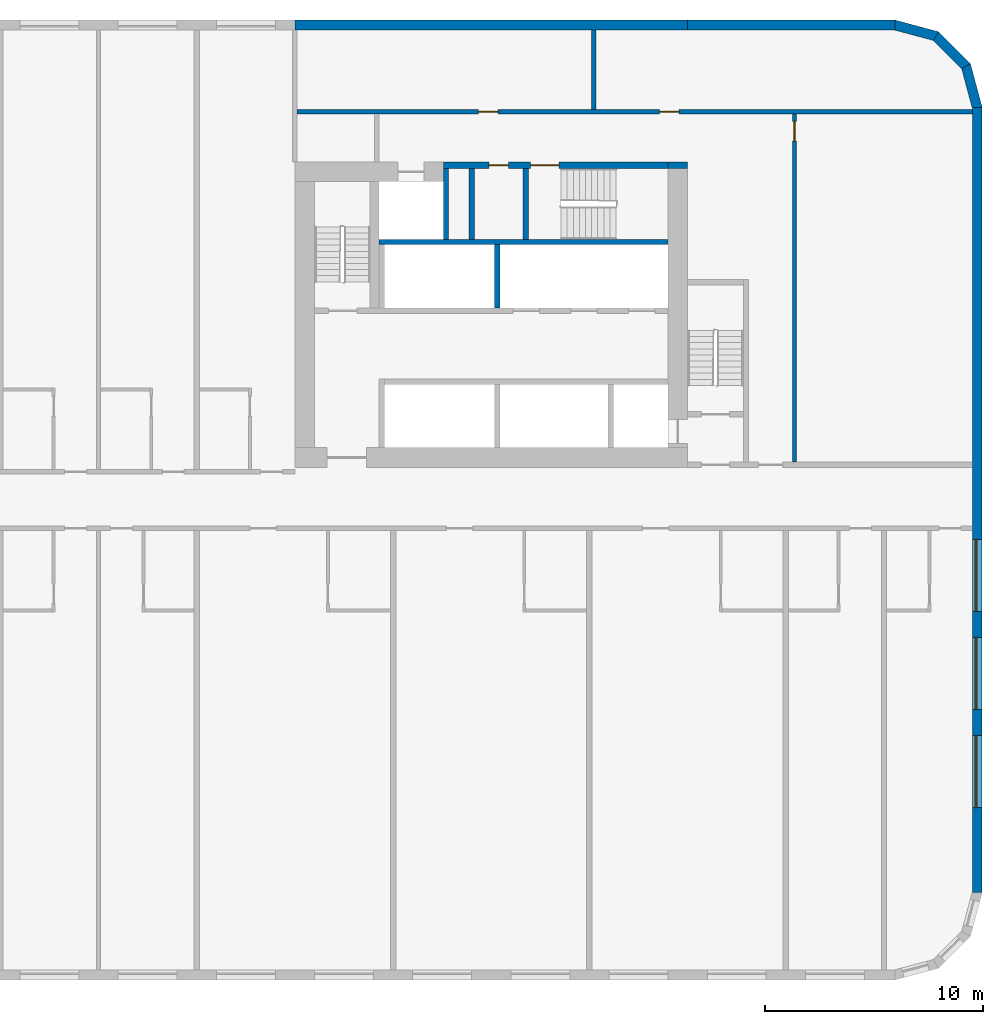
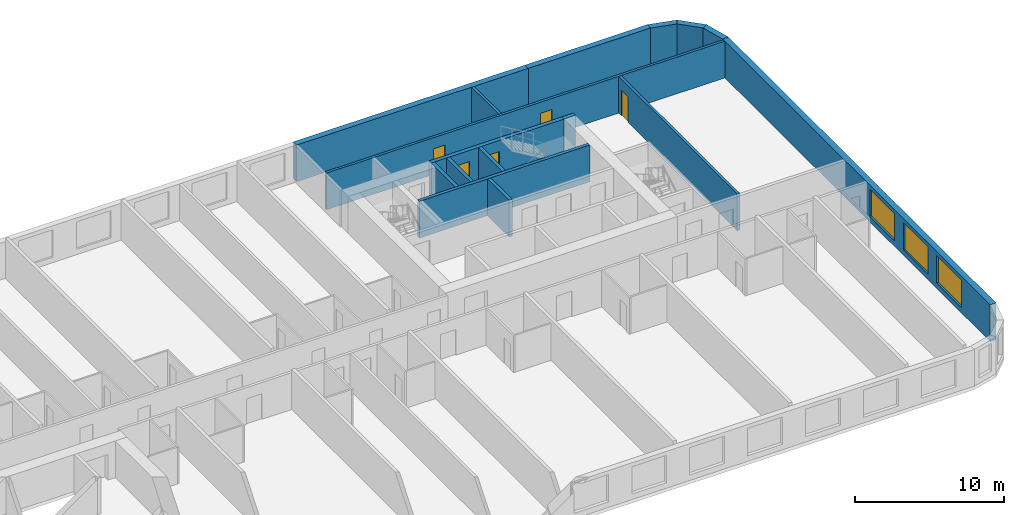
# One storey, part 8 of 12: 16 walls, 5 doors, 3 windows, 8 openings.
"""IFC4 building model written with IfcOpenShell, lengths in metres."""

from ifc_helpers import new_model, si_unit, direction, frame, frame_2d, origin, place, context, subcontext, project, spatial, polyline, rectangle, outline, extrude, material, layer, layer_set, type_object, element, fill, save


model = new_model("IFC4")

# Units and contexts
model_context = context("Model", 3, precision=1e-05, world=origin(), true_north=direction((0.0, 1.0)))
body_context = subcontext(model_context, "Body", "Model", "MODEL_VIEW")
ifc_project = project(units=[si_unit("LENGTHUNIT", "METRE"), si_unit("AREAUNIT", "SQUARE_METRE"), si_unit("VOLUMEUNIT", "CUBIC_METRE"), si_unit("PLANEANGLEUNIT", "RADIAN"), si_unit("MASSUNIT", "GRAM", prefix="KILO")], contexts=[model_context])

# Site, building, storey
site_placement = place(None, origin())
site = spatial("IfcSite", under=ifc_project, at=site_placement, CompositionType="ELEMENT")
building_placement = place(site_placement, origin())
building = spatial("IfcBuilding", under=site, at=building_placement, Name="Kajstack Hotel Tower", CompositionType="ELEMENT")
storey_placement = place(building_placement, frame((0.0, 0.0, 63.300048828125)))
storey = spatial("IfcBuildingStorey", under=building, at=storey_placement, Name="L10", CompositionType="ELEMENT", Elevation=63.300048828125)

# Walls
ifc_material_1 = material(Name="Concrete C60/75", Category="concrete")
ifc_layer_1 = layer(ifc_material_1, 0.89990234375)
ifc_layer_set_1 = layer_set([ifc_layer_1], Name="Core wall 900")
wall_type_1 = type_object("IfcWallType", Name="Core wall 900", PredefinedType="SHEAR", material=ifc_layer_set_1)
wall_1_placement = place(storey_placement, frame((30.60009765625, 15.35009765625, 0.0), z_axis=(0.0, 0.0, 1.0), x_axis=(1.0, 0.0, 0.0)))
element("IfcWall", 1, at=wall_1_placement, inside=storey, type_object=wall_type_1, Name="Core wall E RSW", PredefinedType="SHEAR", context=body_context, shape_type="SweptSolid", body=[
    extrude(rectangle(XDim=0.89990234375, YDim=0.300048828125, at=frame_2d((0.449951171875, 0.0))), origin(), (0.0, 0.0, 1.0), 3.02001953125),
])
ifc_material_2 = material(Name="Concrete C40/50", Category="concrete")
ifc_layer_2 = layer(ifc_material_2, 0.449951171875)
ifc_layer_set_2 = layer_set([ifc_layer_2], Name="EW-CORE")
wall_type_2 = type_object("IfcWallType", Name="EW-CORE", PredefinedType="SOLIDWALL", material=ifc_layer_set_2)
wall_2_placement = place(storey_placement, frame((31.5, 21.77490234375, 0.0), z_axis=(0.0, 0.0, 1.0), x_axis=(-1.0, 0.0, 0.0)))
element("IfcWall", 2, at=wall_2_placement, inside=storey, type_object=wall_type_2, Name="E-wall-L10-11-01", PredefinedType="SOLIDWALL", context=body_context, shape_type="SweptSolid", body=[
    extrude(rectangle(XDim=18.0, YDim=0.449951171875, at=frame_2d((9.0, 0.0))), origin(), (0.0, 0.0, 1.0), 3.02001953125),
])

# Wall, openings, windows
ifc_material_3 = material(Name="Terracotta-faced brick masonry", Category="masonry")
ifc_layer_3 = layer(ifc_material_3, 0.449951171875)
ifc_layer_set_3 = layer_set([ifc_layer_3], Name="EW-TERRA")
wall_type_3 = type_object("IfcWallType", Name="EW-TERRA", PredefinedType="SOLIDWALL", material=ifc_layer_set_3)
wall_3_placement = place(storey_placement, frame((44.77490234375, -18.0, 0.0), z_axis=(0.0, 0.0, 1.0), x_axis=(0.0, 1.0, 0.0)))
wall_3 = element("IfcWall", 3, at=wall_3_placement, inside=storey, type_object=wall_type_3, Name="E-wall-L10-07-00", PredefinedType="SOLIDWALL", context=body_context, shape_type="SweptSolid", body=[
    extrude(rectangle(XDim=36.0, YDim=0.449951171875, at=frame_2d((18.0, 0.0))), origin(), (0.0, 0.0, 1.0), 3.02001953125),
])
opening_1_placement = place(wall_3_placement, frame((3.89990234375, 0.0, 0.449951171875)))
opening_1 = element("IfcOpeningElement", 4, at=opening_1_placement, cuts=wall_3, Name="Opening W2", PredefinedType="OPENING", context=body_context, shape_type="SweptSolid", body=[
    extrude(rectangle(XDim=3.300048828125, YDim=2.25, at=frame_2d((1.64990234375, 1.125))), frame((0.0, 0.23486328125, 0.0), z_axis=(0.0, -1.0, 0.0), x_axis=(1.0, 0.0, 0.0)), (0.0, 0.0, 1.0), 0.469970703125),
])
opening_2_placement = place(wall_3_placement, frame((8.39990234375, 0.0, 0.449951171875)))
opening_2 = element("IfcOpeningElement", 5, at=opening_2_placement, cuts=wall_3, Name="Opening W2", PredefinedType="OPENING", context=body_context, shape_type="SweptSolid", body=[
    extrude(rectangle(XDim=3.300048828125, YDim=2.25, at=frame_2d((1.64990234375, 1.125))), frame((0.0, 0.23486328125, 0.0), z_axis=(0.0, -1.0, 0.0), x_axis=(1.0, 0.0, 0.0)), (0.0, 0.0, 1.0), 0.469970703125),
])
opening_3_placement = place(wall_3_placement, frame((12.89990234375, 0.0, 0.449951171875)))
opening_3 = element("IfcOpeningElement", 6, at=opening_3_placement, cuts=wall_3, Name="Opening W2", PredefinedType="OPENING", context=body_context, shape_type="SweptSolid", body=[
    extrude(rectangle(XDim=3.300048828125, YDim=2.25, at=frame_2d((1.64990234375, 1.125))), frame((0.0, 0.23486328125, 0.0), z_axis=(0.0, -1.0, 0.0), x_axis=(1.0, 0.0, 0.0)), (0.0, 0.0, 1.0), 0.469970703125),
])
ifc_material_4 = material(Name="Timber-aluminium window, triple glazed", Category="wood")
window_type = type_object("IfcWindowType", Name="WG2", PartitioningType="SINGLE_PANEL", PredefinedType="WINDOW", material=ifc_material_4)
window_1_placement = place(opening_1_placement, origin())
window_1 = element("IfcWindow", 7, at=window_1_placement, inside=storey, type_object=window_type, Name="Window W2 L10-07", OverallHeight=2.25, OverallWidth=3.300048828125, PartitioningType="SINGLE_PANEL", PredefinedType="WINDOW", context=body_context, shape_type="SweptSolid", body=[
    extrude(rectangle(XDim=3.300048828125, YDim=2.25, at=frame_2d((1.64990234375, 1.125))), frame((0.0, 0.090087890625, 0.0), z_axis=(0.0, -1.0, 0.0), x_axis=(1.0, 0.0, 0.0)), (0.0, 0.0, 1.0), 0.06005859375),
])
fill(opening_1, window_1)
window_2_placement = place(opening_2_placement, origin())
window_2 = element("IfcWindow", 8, at=window_2_placement, inside=storey, type_object=window_type, Name="Window W2 L10-07", OverallHeight=2.25, OverallWidth=3.300048828125, PartitioningType="SINGLE_PANEL", PredefinedType="WINDOW", context=body_context, shape_type="SweptSolid", body=[
    extrude(rectangle(XDim=3.300048828125, YDim=2.25, at=frame_2d((1.64990234375, 1.125))), frame((0.0, 0.090087890625, 0.0), z_axis=(0.0, -1.0, 0.0), x_axis=(1.0, 0.0, 0.0)), (0.0, 0.0, 1.0), 0.06005859375),
])
fill(opening_2, window_2)
window_3_placement = place(opening_3_placement, origin())
window_3 = element("IfcWindow", 9, at=window_3_placement, inside=storey, type_object=window_type, Name="Window W2 L10-07", OverallHeight=2.25, OverallWidth=3.300048828125, PartitioningType="SINGLE_PANEL", PredefinedType="WINDOW", context=body_context, shape_type="SweptSolid", body=[
    extrude(rectangle(XDim=3.300048828125, YDim=2.25, at=frame_2d((1.64990234375, 1.125))), frame((0.0, 0.090087890625, 0.0), z_axis=(0.0, -1.0, 0.0), x_axis=(1.0, 0.0, 0.0)), (0.0, 0.0, 1.0), 0.06005859375),
])
fill(opening_3, window_3)

# Walls
wall_4_placement = place(storey_placement, frame((44.78271484375, 17.941650390625, 0.0), z_axis=(0.0, 0.0, 1.0), x_axis=(-0.25881466832, 0.965926999034, 0.0)))
element("IfcWall", 10, at=wall_4_placement, inside=storey, type_object=wall_type_3, Name="E-wall-L10-08-00", PredefinedType="SOLIDWALL", context=body_context, shape_type="SweptSolid", body=[
    extrude(outline(polyline([(0.000244140625, -0.22509765625), (2.070556640625, -0.224853515625), (1.9501953125, 0.22509765625), (0.12060546875, 0.22509765625), (0.000244140625, -0.22509765625)])), origin(), (0.0, 0.0, 1.0), 3.02001953125),
])
wall_5_placement = place(storey_placement, frame((44.304931640625, 19.8408203125, 0.0), z_axis=(0.0, 0.0, 1.0), x_axis=(-0.707106781187, 0.707106781187, 0.0)))
element("IfcWall", 11, at=wall_5_placement, inside=storey, type_object=wall_type_3, Name="E-wall-L10-09-00", PredefinedType="SOLIDWALL", context=body_context, shape_type="SweptSolid", body=[
    extrude(outline(polyline([(0.0, -0.22509765625), (2.070556640625, -0.22509765625), (1.949951171875, 0.224853515625), (0.12060546875, 0.224853515625), (0.0, -0.22509765625)])), origin(), (0.0, 0.0, 1.0), 3.02001953125),
])
wall_6_placement = place(storey_placement, frame((42.941650390625, 21.246826171875, 0.0), z_axis=(0.0, 0.0, 1.0), x_axis=(-0.965926999034, 0.25881466832, 0.0)))
element("IfcWall", 12, at=wall_6_placement, inside=storey, type_object=wall_type_3, Name="E-wall-L10-10-00", PredefinedType="SOLIDWALL", context=body_context, shape_type="SweptSolid", body=[
    extrude(outline(polyline([(-0.000244140625, -0.224853515625), (2.0703125, -0.22509765625), (1.949951171875, 0.22509765625), (0.120361328125, 0.22509765625), (-0.000244140625, -0.224853515625)])), origin(), (0.0, 0.0, 1.0), 3.02001953125),
])
wall_7_placement = place(storey_placement, frame((41.0, 21.77490234375, 0.0), z_axis=(0.0, 0.0, 1.0), x_axis=(-1.0, 0.0, 0.0)))
element("IfcWall", 13, at=wall_7_placement, inside=storey, type_object=wall_type_3, Name="E-wall-L10-11-00", PredefinedType="SOLIDWALL", context=body_context, shape_type="SweptSolid", body=[
    extrude(rectangle(XDim=9.5, YDim=0.449951171875, at=frame_2d((4.75, 0.0))), origin(), (0.0, 0.0, 1.0), 3.02001953125),
])
ifc_material_5 = material(Name="Concrete C50/60", Category="concrete")
ifc_layer_4 = layer(ifc_material_5, 0.300048828125)
ifc_layer_set_4 = layer_set([ifc_layer_4], Name="Hoistway divider wall 300")
wall_type_4 = type_object("IfcWallType", Name="Hoistway divider wall 300", PredefinedType="SHEAR", material=ifc_layer_set_4)
wall_8_placement = place(storey_placement, frame((22.77490234375, 8.800048828125, 0.0), z_axis=(0.0, 0.0, 1.0), x_axis=(0.0, 1.0, 0.0)))
element("IfcWall", 14, at=wall_8_placement, inside=storey, type_object=wall_type_4, Name="Core wall E BP2", PredefinedType="SHEAR", context=body_context, shape_type="SweptSolid", body=[
    extrude(rectangle(XDim=2.89990234375, YDim=0.25, at=frame_2d((1.449951171875, 0.0))), origin(), (0.0, 0.0, 1.0), 3.02001953125),
])
ifc_material_6 = material(Name="Concrete block masonry", Category="masonry")
ifc_layer_5 = layer(ifc_material_6, 0.25)
ifc_layer_set_5 = layer_set([ifc_layer_5], Name="Riser partition 250")
wall_type_5 = type_object("IfcWallType", Name="Riser partition 250", PredefinedType="PARTITIONING", material=ifc_layer_set_5)
wall_9_placement = place(storey_placement, frame((21.60009765625, 11.949951171875, 0.0), z_axis=(0.0, 0.0, 1.0), x_axis=(0.0, 1.0, 0.0)))
element("IfcWall", 15, at=wall_9_placement, inside=storey, type_object=wall_type_5, Name="Partition E SZ0", PredefinedType="PARTITIONING", context=body_context, shape_type="SweptSolid", body=[
    extrude(rectangle(XDim=3.25, YDim=0.25, at=frame_2d((1.625, 0.0))), origin(), (0.0, 0.0, 1.0), 3.02001953125),
])

# Wall, opening, door
ifc_material_7 = material(Name="Gypsum board on steel studs, mineral wool", Category="steel")
ifc_layer_6 = layer(ifc_material_7, 0.199951171875)
ifc_layer_set_6 = layer_set([ifc_layer_6], Name="Service partition 200")
wall_type_6 = type_object("IfcWallType", Name="Service partition 200", PredefinedType="PARTITIONING", material=ifc_layer_set_6)
wall_10_placement = place(storey_placement, frame((36.39990234375, 1.75, 0.0), z_axis=(0.0, 0.0, 1.0), x_axis=(0.0, 1.0, 0.0)))
wall_10 = element("IfcWall", 16, at=wall_10_placement, inside=storey, type_object=wall_type_6, Name="Partition E WRE", PredefinedType="PARTITIONING", context=body_context, shape_type="SweptSolid", body=[
    extrude(rectangle(XDim=15.949951171875, YDim=0.199951171875, at=frame_2d((7.97509765625, 0.0))), origin(), (0.0, 0.0, 1.0), 3.02001953125),
])
opening_4_placement = place(wall_10_placement, frame((14.699951171875, 0.0, 0.0)))
opening_4 = element("IfcOpeningElement", 17, at=opening_4_placement, cuts=wall_10, Name="Opening 10E15", PredefinedType="OPENING", context=body_context, shape_type="SweptSolid", body=[
    extrude(rectangle(XDim=0.89990234375, YDim=2.10009765625, at=frame_2d((0.449951171875, 1.050048828125))), frame((0.0, 0.10986328125, 0.0), z_axis=(0.0, -1.0, 0.0), x_axis=(1.0, 0.0, 0.0)), (0.0, 0.0, 1.0), 0.219970703125),
])
ifc_material_8 = material(Name="Timber leaf, fire-rated", Category="wood")
door_type_1 = type_object("IfcDoorType", Name="Service door 900", OperationType="SINGLE_SWING_LEFT", PredefinedType="DOOR", material=ifc_material_8)
door_1_placement = place(opening_4_placement, origin())
door_1 = element("IfcDoor", 18, at=door_1_placement, inside=storey, type_object=door_type_1, Name="Door 10E15", OperationType="SINGLE_SWING_RIGHT", OverallHeight=2.10009765625, OverallWidth=0.89990234375, PredefinedType="DOOR", context=body_context, shape_type="SweptSolid", body=[
    extrude(rectangle(XDim=0.89990234375, YDim=2.10009765625, at=frame_2d((0.449951171875, 1.050048828125))), frame((0.0, 0.02490234375, 0.0), z_axis=(0.0, -1.0, 0.0), x_axis=(1.0, 0.0, 0.0)), (0.0, 0.0, 1.0), 0.050048828125),
])
fill(opening_4, door_1)

# Wall, openings, doors
wall_11_placement = place(storey_placement, frame((13.60009765625, 17.800048828125, 0.0), z_axis=(0.0, 0.0, 1.0), x_axis=(1.0, 0.0, 0.0)))
wall_11 = element("IfcWall", 19, at=wall_11_placement, inside=storey, type_object=wall_type_6, Name="Partition E SLN", PredefinedType="PARTITIONING", context=body_context, shape_type="SweptSolid", body=[
    extrude(rectangle(XDim=30.949951171875, YDim=0.199951171875, at=frame_2d((15.47509765625, 0.0))), origin(), (0.0, 0.0, 1.0), 3.02001953125),
])
opening_5_placement = place(wall_11_placement, frame((16.612548828125, 0.0, 0.0)))
opening_5 = element("IfcOpeningElement", 20, at=opening_5_placement, cuts=wall_11, Name="Opening 10E13", PredefinedType="OPENING", context=body_context, shape_type="SweptSolid", body=[
    extrude(rectangle(XDim=0.89990234375, YDim=2.10009765625, at=frame_2d((0.449951171875, 1.050048828125))), frame((0.0, 0.10986328125, 0.0), z_axis=(0.0, -1.0, 0.0), x_axis=(1.0, 0.0, 0.0)), (0.0, 0.0, 1.0), 0.219970703125),
])
opening_6_placement = place(wall_11_placement, frame((8.3125, 0.0, 0.0)))
opening_6 = element("IfcOpeningElement", 21, at=opening_6_placement, cuts=wall_11, Name="Opening 10E14", PredefinedType="OPENING", context=body_context, shape_type="SweptSolid", body=[
    extrude(rectangle(XDim=0.89990234375, YDim=2.10009765625, at=frame_2d((0.449951171875, 1.050048828125))), frame((0.0, 0.10986328125, 0.0), z_axis=(0.0, -1.0, 0.0), x_axis=(1.0, 0.0, 0.0)), (0.0, 0.0, 1.0), 0.219970703125),
])
door_2_placement = place(opening_5_placement, origin())
door_2 = element("IfcDoor", 22, at=door_2_placement, inside=storey, type_object=door_type_1, Name="Door 10E13", OperationType="SINGLE_SWING_LEFT", OverallHeight=2.10009765625, OverallWidth=0.89990234375, PredefinedType="DOOR", context=body_context, shape_type="SweptSolid", body=[
    extrude(rectangle(XDim=0.89990234375, YDim=2.10009765625, at=frame_2d((0.449951171875, 1.050048828125))), frame((0.0, 0.02490234375, 0.0), z_axis=(0.0, -1.0, 0.0), x_axis=(1.0, 0.0, 0.0)), (0.0, 0.0, 1.0), 0.050048828125),
])
fill(opening_5, door_2)
door_3_placement = place(opening_6_placement, origin())
door_3 = element("IfcDoor", 23, at=door_3_placement, inside=storey, type_object=door_type_1, Name="Door 10E14", OperationType="SINGLE_SWING_LEFT", OverallHeight=2.10009765625, OverallWidth=0.89990234375, PredefinedType="DOOR", context=body_context, shape_type="SweptSolid", body=[
    extrude(rectangle(XDim=0.89990234375, YDim=2.10009765625, at=frame_2d((0.449951171875, 1.050048828125))), frame((0.0, 0.02490234375, 0.0), z_axis=(0.0, -1.0, 0.0), x_axis=(1.0, 0.0, 0.0)), (0.0, 0.0, 1.0), 0.050048828125),
])
fill(opening_6, door_3)

# Wall
wall_12_placement = place(storey_placement, frame((27.199951171875, 17.89990234375, 0.0), z_axis=(0.0, 0.0, 1.0), x_axis=(0.0, 1.0, 0.0)))
element("IfcWall", 24, at=wall_12_placement, inside=storey, type_object=wall_type_6, Name="Partition E SLP0", PredefinedType="PARTITIONING", context=body_context, shape_type="SweptSolid", body=[
    extrude(rectangle(XDim=3.650146484375, YDim=0.199951171875, at=frame_2d((1.8251953125, 0.0))), origin(), (0.0, 0.0, 1.0), 3.02001953125),
])

# Wall, openings, doors
ifc_layer_7 = layer(ifc_material_5, 0.25)
ifc_layer_set_7 = layer_set([ifc_layer_7], Name="Shaft wall 250")
wall_type_7 = type_object("IfcWallType", Name="Shaft wall 250", PredefinedType="SHEAR", material=ifc_layer_set_7)
wall_13_placement = place(storey_placement, frame((20.300048828125, 15.35009765625, 0.0), z_axis=(0.0, 0.0, 1.0), x_axis=(1.0, 0.0, 0.0)))
wall_13 = element("IfcWall", 25, at=wall_13_placement, inside=storey, type_object=wall_type_7, Name="Core wall E RSS", PredefinedType="SHEAR", context=body_context, shape_type="SweptSolid", body=[
    extrude(rectangle(XDim=10.300048828125, YDim=0.300048828125, at=frame_2d((5.14990234375, 0.0))), origin(), (0.0, 0.0, 1.0), 3.02001953125),
])
opening_7_placement = place(wall_13_placement, frame((4.0, 0.0, 0.0)))
opening_7 = element("IfcOpeningElement", 26, at=opening_7_placement, cuts=wall_13, Name="Opening 10E11", PredefinedType="OPENING", context=body_context, shape_type="SweptSolid", body=[
    extrude(rectangle(XDim=1.300048828125, YDim=2.10009765625, at=frame_2d((0.64990234375, 1.050048828125))), frame((0.0, 0.159912109375, 0.0), z_axis=(0.0, -1.0, 0.0), x_axis=(1.0, 0.0, 0.0)), (0.0, 0.0, 1.0), 0.320068359375),
])
opening_8_placement = place(wall_13_placement, frame((2.08740234375, 0.0, 0.0)))
opening_8 = element("IfcOpeningElement", 27, at=opening_8_placement, cuts=wall_13, Name="Opening 10E12", PredefinedType="OPENING", context=body_context, shape_type="SweptSolid", body=[
    extrude(rectangle(XDim=0.89990234375, YDim=2.10009765625, at=frame_2d((0.449951171875, 1.050048828125))), frame((0.0, 0.159912109375, 0.0), z_axis=(0.0, -1.0, 0.0), x_axis=(1.0, 0.0, 0.0)), (0.0, 0.0, 1.0), 0.320068359375),
])
door_4_placement = place(opening_8_placement, origin())
door_4 = element("IfcDoor", 28, at=door_4_placement, inside=storey, type_object=door_type_1, Name="Door 10E12", OperationType="SINGLE_SWING_RIGHT", OverallHeight=2.10009765625, OverallWidth=0.89990234375, PredefinedType="DOOR", context=body_context, shape_type="SweptSolid", body=[
    extrude(rectangle(XDim=0.89990234375, YDim=2.10009765625, at=frame_2d((0.449951171875, 1.050048828125))), frame((0.0, 0.02490234375, 0.0), z_axis=(0.0, -1.0, 0.0), x_axis=(1.0, 0.0, 0.0)), (0.0, 0.0, 1.0), 0.050048828125),
])
fill(opening_8, door_4)
ifc_material_9 = material(Name="Steel leaf, fire-rated", Category="steel")
door_type_2 = type_object("IfcDoorType", Name="Stair door 1300", OperationType="SINGLE_SWING_LEFT", PredefinedType="DOOR", material=ifc_material_9)
door_5_placement = place(opening_7_placement, origin())
door_5 = element("IfcDoor", 29, at=door_5_placement, inside=storey, type_object=door_type_2, Name="Door 10E11", OperationType="SINGLE_SWING_LEFT", OverallHeight=2.10009765625, OverallWidth=1.300048828125, PredefinedType="DOOR", context=body_context, shape_type="SweptSolid", body=[
    extrude(rectangle(XDim=1.300048828125, YDim=2.10009765625, at=frame_2d((0.64990234375, 1.050048828125))), frame((0.0, 0.02490234375, 0.0), z_axis=(0.0, -1.0, 0.0), x_axis=(1.0, 0.0, 0.0)), (0.0, 0.0, 1.0), 0.050048828125),
])
fill(opening_7, door_5)

# Walls
wall_14_placement = place(storey_placement, frame((17.35009765625, 11.824951171875, 0.0), z_axis=(0.0, 0.0, 1.0), x_axis=(1.0, 0.0, 0.0)))
element("IfcWall", 30, at=wall_14_placement, inside=storey, type_object=wall_type_7, Name="Core wall E RB", PredefinedType="SHEAR", context=body_context, shape_type="SweptSolid", body=[
    extrude(rectangle(XDim=13.25, YDim=0.25, at=frame_2d((6.625, 0.0))), origin(), (0.0, 0.0, 1.0), 3.02001953125),
])
wall_15_placement = place(storey_placement, frame((20.425048828125, 11.949951171875, 0.0), z_axis=(0.0, 0.0, 1.0), x_axis=(0.0, 1.0, 0.0)))
element("IfcWall", 31, at=wall_15_placement, inside=storey, type_object=wall_type_7, Name="Core wall E SVW", PredefinedType="SHEAR", context=body_context, shape_type="SweptSolid", body=[
    extrude(rectangle(XDim=3.25, YDim=0.25, at=frame_2d((1.625, 0.0))), origin(), (0.0, 0.0, 1.0), 3.02001953125),
])
ifc_layer_8 = layer(ifc_material_5, 0.35009765625)
ifc_layer_set_8 = layer_set([ifc_layer_8], Name="Stair enclosure wall 350")
wall_type_8 = type_object("IfcWallType", Name="Stair enclosure wall 350", PredefinedType="SHEAR", material=ifc_layer_set_8)
wall_16_placement = place(storey_placement, frame((24.074951171875, 11.949951171875, 0.0), z_axis=(0.0, 0.0, 1.0), x_axis=(0.0, 1.0, 0.0)))
element("IfcWall", 32, at=wall_16_placement, inside=storey, type_object=wall_type_8, Name="Core wall E W3E", PredefinedType="SHEAR", context=body_context, shape_type="SweptSolid", body=[
    extrude(rectangle(XDim=3.25, YDim=0.25, at=frame_2d((1.625, 0.0))), origin(), (0.0, 0.0, 1.0), 3.02001953125),
])

save(model, "model.ifc")
